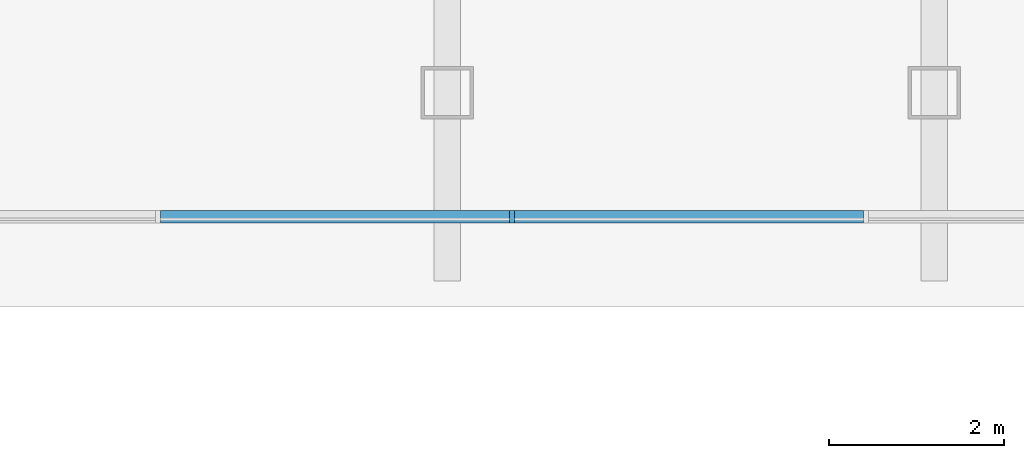
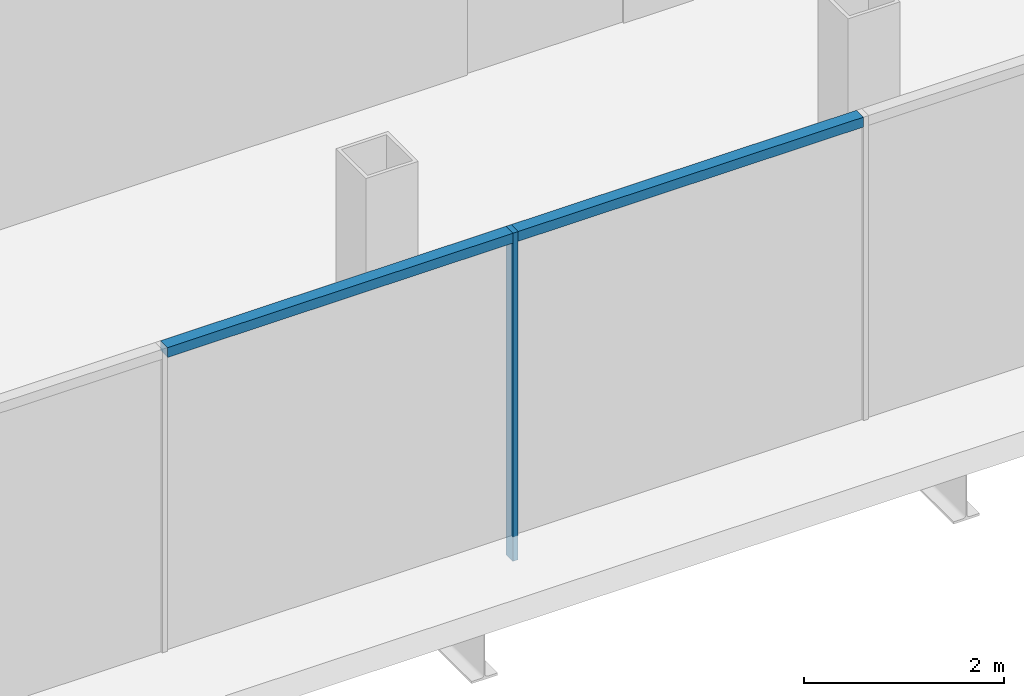
# One storey, part 6 of 25: 3 members, 1 element without a shape of its own.
"""IFC4 building model written with IfcOpenShell, lengths in metres."""

from ifc_helpers import new_model, si_unit, direction, frame, origin, origin_2d, place, context, subcontext, project, spatial, rectangle, extrude, material, material_profile, profile_set, type_object, element, aggregate, save


model = new_model("IFC4")

# Units and contexts
model_context = context("Model", 3, precision=1e-05, world=origin(), true_north=direction((0.0, 1.0)))
body_context = subcontext(model_context, "Body", "Model", "MODEL_VIEW")
ifc_project = project(units=[si_unit("LENGTHUNIT", "METRE"), si_unit("AREAUNIT", "SQUARE_METRE"), si_unit("VOLUMEUNIT", "CUBIC_METRE"), si_unit("PLANEANGLEUNIT", "RADIAN"), si_unit("MASSUNIT", "GRAM", prefix="KILO")], contexts=[model_context])

# Site, building, storey
site_placement = place(None, origin())
site = spatial("IfcSite", under=ifc_project, at=site_placement, CompositionType="ELEMENT")
building_placement = place(site_placement, origin())
building = spatial("IfcBuilding", under=site, at=building_placement, Name="Ogive Gate Towers", CompositionType="ELEMENT")
storey_placement = place(building_placement, frame((0.0, 0.0, 140.800048828125)))
storey = spatial("IfcBuildingStorey", under=building, at=storey_placement, Name="L33", CompositionType="ELEMENT", Elevation=140.800048828125)

# Curtain wall, members
ifc_material = material(Name="Pale metal aluminium", Category="aluminium")
curtain_wall_type = type_object("IfcCurtainWallType", Name="Gate block facade", PredefinedType="NOTDEFINED", material=ifc_material)
curtain_wall_placement = place(storey_placement, origin())
curtain_wall = element("IfcCurtainWall", 1, at=curtain_wall_placement, inside=storey, type_object=curtain_wall_type, Name="CW3 BR ECW01", PredefinedType="NOTDEFINED")
ifc_material_profile_1 = material_profile(ifc_material, rectangle(XDim=0.139892578125, YDim=0.06005859375, at=origin_2d()), Name="60 x 140 aluminium box")
ifc_profile_set_1 = profile_set([ifc_material_profile_1], Name="Pale metal aluminium")
member_type_1 = type_object("IfcMemberType", Name="Gate block facade mullion 60 x 140", PredefinedType="MULLION", material=ifc_profile_set_1)
member_1_placement = place(storey_placement, frame((2.0205078125, -7.9169921875, -0.300048828125), z_axis=(0.0, 0.0, 1.0), x_axis=(0.0, -1.0, 0.0)))
member_1 = element("IfcMember", 2, at=member_1_placement, type_object=member_type_1, Name="CW3 mullion", PredefinedType="MULLION", context=body_context, shape_type="SweptSolid", body=[
    extrude(rectangle(XDim=0.139892578125, YDim=0.06005859375, at=origin_2d()), origin(), (0.0, 0.0, 1.0), 4.0),
])
ifc_material_profile_2 = material_profile(ifc_material, rectangle(XDim=0.139892578125, YDim=0.1201171875, at=origin_2d()), Name="120 x 140 aluminium box")
ifc_profile_set_2 = profile_set([ifc_material_profile_2], Name="Pale metal aluminium")
member_type_2 = type_object("IfcMemberType", Name="Gate block facade transom 120 x 140", PredefinedType="USERDEFINED", material=ifc_profile_set_2)
member_2_placement = place(storey_placement, frame((-1.990478515625, -7.9169921875, 3.639892578125), z_axis=(1.0, 0.0, 0.0), x_axis=(0.0, 1.0, 0.0)))
member_2 = element("IfcMember", 3, at=member_2_placement, type_object=member_type_2, Name="CW3 transom", ObjectType="TRANSOM", PredefinedType="USERDEFINED", context=body_context, shape_type="SweptSolid", body=[
    extrude(rectangle(XDim=0.139892578125, YDim=0.1201171875, at=origin_2d()), origin(), (0.0, 0.0, 1.0), 3.98095703125),
])
member_3_placement = place(storey_placement, frame((2.050537109375, -7.9169921875, 3.639892578125), z_axis=(1.0, 0.0, 0.0), x_axis=(0.0, 1.0, 0.0)))
member_3 = element("IfcMember", 4, at=member_3_placement, type_object=member_type_2, Name="CW3 transom", ObjectType="TRANSOM", PredefinedType="USERDEFINED", context=body_context, shape_type="SweptSolid", body=[
    extrude(rectangle(XDim=0.139892578125, YDim=0.1201171875, at=origin_2d()), origin(), (0.0, 0.0, 1.0), 3.98095703125),
])
aggregate(curtain_wall, [member_1, member_2, member_3])

save(model, "model.ifc")
